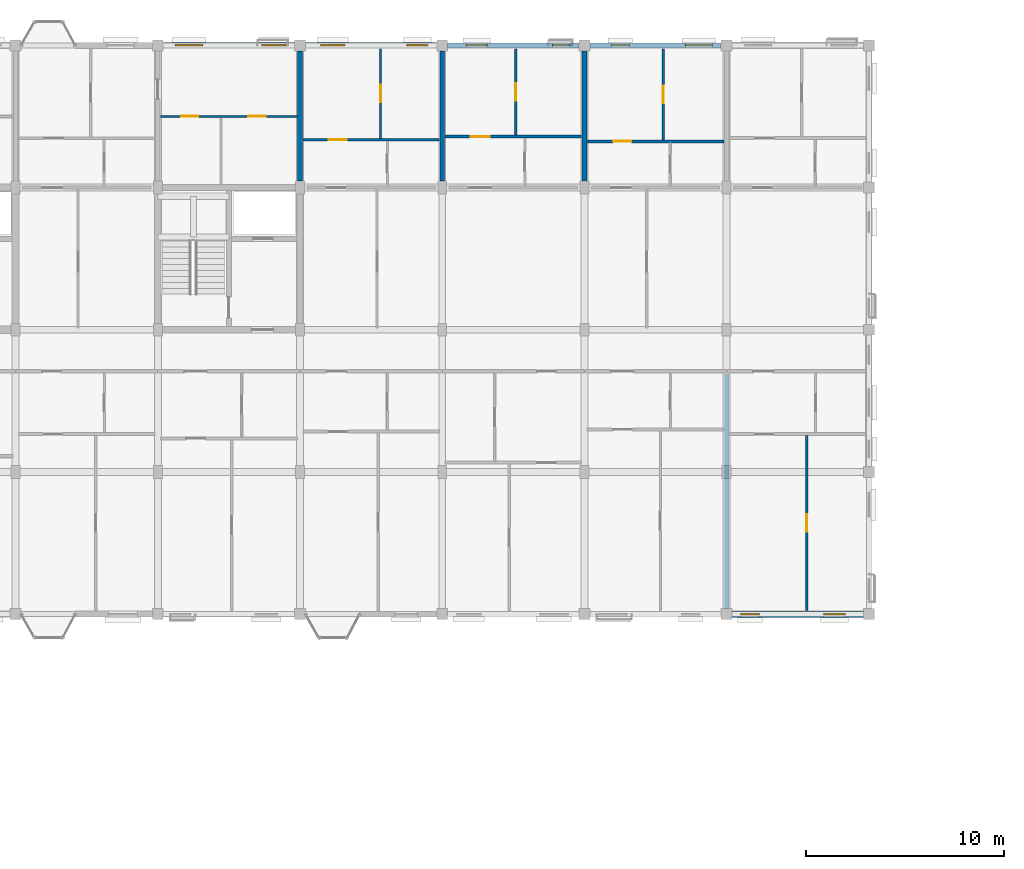
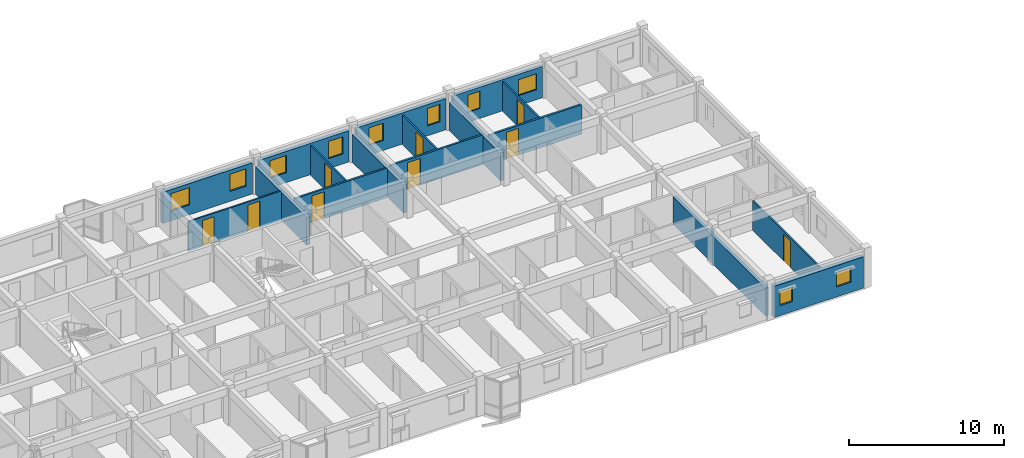
# One storey, part 65 of 75: 17 walls, 10 windows, 9 doors, 19 openings.
"""IFC4 building model written with IfcOpenShell, lengths in metres."""

from ifc_helpers import new_model, si_unit, direction, frame, frame_2d, origin, place, context, subcontext, project, spatial, rectangle, extrude, material, layer, layer_set, type_object, element, fill, save


model = new_model("IFC4")

# Units and contexts
model_context = context("Model", 3, precision=1e-05, world=origin(), true_north=direction((0.0, 1.0)))
body_context = subcontext(model_context, "Body", "Model", "MODEL_VIEW")
ifc_project = project(units=[si_unit("LENGTHUNIT", "METRE"), si_unit("AREAUNIT", "SQUARE_METRE"), si_unit("VOLUMEUNIT", "CUBIC_METRE"), si_unit("PLANEANGLEUNIT", "RADIAN"), si_unit("MASSUNIT", "GRAM", prefix="KILO"), si_unit("THERMODYNAMICTEMPERATUREUNIT", "KELVIN"), si_unit("POWERUNIT", "WATT")], contexts=[model_context])

# Site, building, storey
site_placement = place(None, origin())
site = spatial("IfcSite", under=ifc_project, at=site_placement, CompositionType="ELEMENT")
building_placement = place(site_placement, origin())
building = spatial("IfcBuilding", under=site, at=building_placement, Name="Tavuni Mirador Residences", CompositionType="ELEMENT")
storey_placement = place(building_placement, frame((0.0, 0.0, 20.25)))
storey = spatial("IfcBuildingStorey", under=building, at=storey_placement, Name="L06", CompositionType="ELEMENT", Elevation=20.25)

# Wall, openings, windows
ifc_material_1 = material(Name="Precast concrete C40/50", Category="concrete")
ifc_layer_1 = layer(ifc_material_1, 0.330078125, Name="Precast concrete C40/50", Category="concrete")
ifc_layer_set_1 = layer_set([ifc_layer_1], Name="Precast concrete C40/50")
wall_type_1 = type_object("IfcWallType", Name="WT-EXT-COR330", PredefinedType="SOLIDWALL", material=ifc_layer_set_1)
wall_1_placement = place(storey_placement, frame((68.675048828125, 144.0, 0.0), z_axis=(0.0, 0.0, 1.0), x_axis=(1.0, 0.0, 0.0)))
wall_1 = element("IfcWall", 1, at=wall_1_placement, inside=storey, type_object=wall_type_1, Name="EW-BLK-C-L06-S08", PredefinedType="SOLIDWALL", context=body_context, shape_type="SweptSolid", body=[
    extrude(rectangle(XDim=6.64990234375, YDim=0.330078125, at=frame_2d((3.324951171875, 0.0))), origin(), (0.0, 0.0, 1.0), 2.455078125),
])
opening_1_placement = place(wall_1_placement, frame((0.449951171875, 0.0, 0.780029296875)))
opening_1 = element("IfcOpeningElement", 2, at=opening_1_placement, cuts=wall_1, Name="Opening WN-02", PredefinedType="OPENING", context=body_context, shape_type="SweptSolid", body=[
    extrude(rectangle(XDim=0.919921875, YDim=1.14990234375, at=frame_2d((0.4599609375, 0.574951171875))), frame((0.0, 0.175048828125, 0.0), z_axis=(0.0, -1.0, 0.0), x_axis=(1.0, 0.0, 0.0)), (0.0, 0.0, 1.0), 0.35009765625),
])
opening_2_placement = place(wall_1_placement, frame((4.64990234375, 0.0, 0.780029296875)))
opening_2 = element("IfcOpeningElement", 3, at=opening_2_placement, cuts=wall_1, Name="Opening WN-04", PredefinedType="OPENING", context=body_context, shape_type="SweptSolid", body=[
    extrude(rectangle(XDim=1.080078125, YDim=1.14990234375, at=frame_2d((0.5400390625, 0.574951171875))), frame((0.0, 0.175048828125, 0.0), z_axis=(0.0, -1.0, 0.0), x_axis=(1.0, 0.0, 0.0)), (0.0, 0.0, 1.0), 0.35009765625),
])
ifc_material_2 = material(Name="Laminated solar-control glass", Category="glass")
window_type_1 = type_object("IfcWindowType", Name="WNT-02", PartitioningType="SINGLE_PANEL", PredefinedType="WINDOW", material=ifc_material_2)
window_1_placement = place(opening_1_placement, origin())
window_1 = element("IfcWindow", 4, at=window_1_placement, inside=storey, type_object=window_type_1, Name="WIN-1105", OverallHeight=1.14990234375, OverallWidth=0.919921875, PartitioningType="SINGLE_PANEL", PredefinedType="WINDOW", context=body_context, shape_type="SweptSolid", body=[
    extrude(rectangle(XDim=0.919921875, YDim=1.14990234375, at=frame_2d((0.4599609375, 0.574951171875))), frame((0.0, 0.030029296875, 0.0), z_axis=(0.0, -1.0, 0.0), x_axis=(1.0, 0.0, 0.0)), (0.0, 0.0, 1.0), 0.06005859375),
])
fill(opening_1, window_1)
window_type_2 = type_object("IfcWindowType", Name="WNT-04", PartitioningType="SINGLE_PANEL", PredefinedType="WINDOW", material=ifc_material_2)
window_2_placement = place(opening_2_placement, origin())
window_2 = element("IfcWindow", 5, at=window_2_placement, inside=storey, type_object=window_type_2, Name="WIN-1106", OverallHeight=1.14990234375, OverallWidth=1.080078125, PartitioningType="SINGLE_PANEL", PredefinedType="WINDOW", context=body_context, shape_type="SweptSolid", body=[
    extrude(rectangle(XDim=1.080078125, YDim=1.14990234375, at=frame_2d((0.5400390625, 0.574951171875))), frame((0.0, 0.030029296875, 0.0), z_axis=(0.0, -1.0, 0.0), x_axis=(1.0, 0.0, 0.0)), (0.0, 0.0, 1.0), 0.06005859375),
])
fill(opening_2, window_2)

ifc_material_3 = material(Name="Sgraffito lime-rendered precast concrete C40/50", Category="concrete")
ifc_layer_2 = layer(ifc_material_3, 0.2451171875, Name="Sgraffito lime-rendered precast concrete C40/50", Category="concrete")
ifc_layer_set_2 = layer_set([ifc_layer_2], Name="Sgraffito lime-rendered precast concrete C40/50")
wall_type_2 = type_object("IfcWallType", Name="WT-EXT-PC245", PredefinedType="SOLIDWALL", material=ifc_layer_set_2)
wall_2_placement = place(storey_placement, frame((68.125, 172.800048828125, 0.0), z_axis=(0.0, 0.0, 1.0), x_axis=(-1.0, 0.0, 0.0)))
wall_2 = element("IfcWall", 6, at=wall_2_placement, inside=storey, type_object=wall_type_2, Name="EW-BLK-C-L06-N07", PredefinedType="SOLIDWALL", context=body_context, shape_type="SweptSolid", body=[
    extrude(rectangle(XDim=6.64990234375, YDim=0.2451171875, at=frame_2d((3.324951171875, 0.0))), origin(), (0.0, 0.0, 1.0), 2.455078125),
])
opening_3_placement = place(wall_2_placement, frame((0.449951171875, 0.0, 0.780029296875)))
opening_3 = element("IfcOpeningElement", 7, at=opening_3_placement, cuts=wall_2, Name="Opening WN-15", PredefinedType="OPENING", context=body_context, shape_type="SweptSolid", body=[
    extrude(rectangle(XDim=1.360107421875, YDim=1.260009765625, at=frame_2d((0.68017578125, 0.6298828125))), frame((0.0, 0.132568359375, 0.0), z_axis=(0.0, -1.0, 0.0), x_axis=(1.0, 0.0, 0.0)), (0.0, 0.0, 1.0), 0.26513671875),
])
opening_4_placement = place(wall_2_placement, frame((4.64990234375, 0.0, 0.780029296875)))
opening_4 = element("IfcOpeningElement", 8, at=opening_4_placement, cuts=wall_2, Name="Opening WN-17", PredefinedType="OPENING", context=body_context, shape_type="SweptSolid", body=[
    extrude(rectangle(XDim=0.89990234375, YDim=1.360107421875, at=frame_2d((0.449951171875, 0.68017578125))), frame((0.0, 0.132568359375, 0.0), z_axis=(0.0, -1.0, 0.0), x_axis=(1.0, 0.0, 0.0)), (0.0, 0.0, 1.0), 0.26513671875),
])
window_type_3 = type_object("IfcWindowType", Name="WNT-15", PartitioningType="SINGLE_PANEL", PredefinedType="WINDOW", material=ifc_material_2)
window_3_placement = place(opening_3_placement, origin())
window_3 = element("IfcWindow", 9, at=window_3_placement, inside=storey, type_object=window_type_3, Name="WIN-1118", OverallHeight=1.260009765625, OverallWidth=1.360107421875, PartitioningType="SINGLE_PANEL", PredefinedType="WINDOW", context=body_context, shape_type="SweptSolid", body=[
    extrude(rectangle(XDim=1.360107421875, YDim=1.260009765625, at=frame_2d((0.68017578125, 0.6298828125))), frame((0.0, 0.030029296875, 0.0), z_axis=(0.0, -1.0, 0.0), x_axis=(1.0, 0.0, 0.0)), (0.0, 0.0, 1.0), 0.06005859375),
])
fill(opening_3, window_3)
window_type_4 = type_object("IfcWindowType", Name="WNT-17", PartitioningType="SINGLE_PANEL", PredefinedType="WINDOW", material=ifc_material_2)
window_4_placement = place(opening_4_placement, origin())
window_4 = element("IfcWindow", 10, at=window_4_placement, inside=storey, type_object=window_type_4, Name="WIN-1119", OverallHeight=1.360107421875, OverallWidth=0.89990234375, PartitioningType="SINGLE_PANEL", PredefinedType="WINDOW", context=body_context, shape_type="SweptSolid", body=[
    extrude(rectangle(XDim=0.89990234375, YDim=1.360107421875, at=frame_2d((0.449951171875, 0.68017578125))), frame((0.0, 0.030029296875, 0.0), z_axis=(0.0, -1.0, 0.0), x_axis=(1.0, 0.0, 0.0)), (0.0, 0.0, 1.0), 0.06005859375),
])
fill(opening_4, window_4)

ifc_layer_3 = layer(ifc_material_3, 0.2548828125, Name="Sgraffito lime-rendered precast concrete C40/50", Category="concrete")
ifc_layer_set_3 = layer_set([ifc_layer_3], Name="Sgraffito lime-rendered precast concrete C40/50")
wall_type_3 = type_object("IfcWallType", Name="WT-EXT-PC255", PredefinedType="SOLIDWALL", material=ifc_layer_set_3)
wall_3_placement = place(storey_placement, frame((60.925048828125, 172.800048828125, 0.0), z_axis=(0.0, 0.0, 1.0), x_axis=(-1.0, 0.0, 0.0)))
wall_3 = element("IfcWall", 11, at=wall_3_placement, inside=storey, type_object=wall_type_3, Name="EW-BLK-C-L06-N06", PredefinedType="SOLIDWALL", context=body_context, shape_type="SweptSolid", body=[
    extrude(rectangle(XDim=6.650146484375, YDim=0.2548828125, at=frame_2d((3.3251953125, 0.0))), origin(), (0.0, 0.0, 1.0), 2.455078125),
])
opening_5_placement = place(wall_3_placement, frame((0.449951171875, 0.0, 0.780029296875)))
opening_5 = element("IfcOpeningElement", 12, at=opening_5_placement, cuts=wall_3, Name="Opening WN-17", PredefinedType="OPENING", context=body_context, shape_type="SweptSolid", body=[
    extrude(rectangle(XDim=0.89990234375, YDim=1.360107421875, at=frame_2d((0.449951171875, 0.68017578125))), frame((0.0, 0.137451171875, 0.0), z_axis=(0.0, -1.0, 0.0), x_axis=(1.0, 0.0, 0.0)), (0.0, 0.0, 1.0), 0.27490234375),
])
opening_6_placement = place(wall_3_placement, frame((4.64990234375, 0.0, 0.780029296875)))
opening_6 = element("IfcOpeningElement", 13, at=opening_6_placement, cuts=wall_3, Name="Opening WN-19", PredefinedType="OPENING", context=body_context, shape_type="SweptSolid", body=[
    extrude(rectangle(XDim=1.06005859375, YDim=1.360107421875, at=frame_2d((0.530029296875, 0.68017578125))), frame((0.0, 0.137451171875, 0.0), z_axis=(0.0, -1.0, 0.0), x_axis=(1.0, 0.0, 0.0)), (0.0, 0.0, 1.0), 0.27490234375),
])
window_5_placement = place(opening_5_placement, origin())
window_5 = element("IfcWindow", 14, at=window_5_placement, inside=storey, type_object=window_type_4, Name="WIN-1120", OverallHeight=1.360107421875, OverallWidth=0.89990234375, PartitioningType="SINGLE_PANEL", PredefinedType="WINDOW", context=body_context, shape_type="SweptSolid", body=[
    extrude(rectangle(XDim=0.89990234375, YDim=1.360107421875, at=frame_2d((0.449951171875, 0.68017578125))), frame((0.0, 0.030029296875, 0.0), z_axis=(0.0, -1.0, 0.0), x_axis=(1.0, 0.0, 0.0)), (0.0, 0.0, 1.0), 0.06005859375),
])
fill(opening_5, window_5)
window_type_5 = type_object("IfcWindowType", Name="WNT-19", PartitioningType="SINGLE_PANEL", PredefinedType="WINDOW", material=ifc_material_2)
window_6_placement = place(opening_6_placement, origin())
window_6 = element("IfcWindow", 15, at=window_6_placement, inside=storey, type_object=window_type_5, Name="WIN-1121", OverallHeight=1.360107421875, OverallWidth=1.06005859375, PartitioningType="SINGLE_PANEL", PredefinedType="WINDOW", context=body_context, shape_type="SweptSolid", body=[
    extrude(rectangle(XDim=1.06005859375, YDim=1.360107421875, at=frame_2d((0.530029296875, 0.68017578125))), frame((0.0, 0.030029296875, 0.0), z_axis=(0.0, -1.0, 0.0), x_axis=(1.0, 0.0, 0.0)), (0.0, 0.0, 1.0), 0.06005859375),
])
fill(opening_6, window_6)

ifc_layer_4 = layer(ifc_material_3, 0.27490234375, Name="Sgraffito lime-rendered precast concrete C40/50", Category="concrete")
ifc_layer_set_4 = layer_set([ifc_layer_4], Name="Sgraffito lime-rendered precast concrete C40/50")
wall_type_4 = type_object("IfcWallType", Name="WT-EXT-PC275", PredefinedType="SOLIDWALL", material=ifc_layer_set_4)
wall_4_placement = place(storey_placement, frame((53.72509765625, 172.800048828125, 0.0), z_axis=(0.0, 0.0, 1.0), x_axis=(-1.0, 0.0, 0.0)))
wall_4 = element("IfcWall", 16, at=wall_4_placement, inside=storey, type_object=wall_type_4, Name="EW-BLK-C-L06-N05", PredefinedType="SOLIDWALL", context=body_context, shape_type="SweptSolid", body=[
    extrude(rectangle(XDim=6.650146484375, YDim=0.27490234375, at=frame_2d((3.3251953125, 0.0))), origin(), (0.0, 0.0, 1.0), 2.455078125),
])
opening_7_placement = place(wall_4_placement, frame((0.449951171875, 0.0, 0.780029296875)))
opening_7 = element("IfcOpeningElement", 17, at=opening_7_placement, cuts=wall_4, Name="Opening WN-19", PredefinedType="OPENING", context=body_context, shape_type="SweptSolid", body=[
    extrude(rectangle(XDim=1.06005859375, YDim=1.360107421875, at=frame_2d((0.530029296875, 0.68017578125))), frame((0.0, 0.1474609375, 0.0), z_axis=(0.0, -1.0, 0.0), x_axis=(1.0, 0.0, 0.0)), (0.0, 0.0, 1.0), 0.294921875),
])
opening_8_placement = place(wall_4_placement, frame((4.64990234375, 0.0, 0.780029296875)))
opening_8 = element("IfcOpeningElement", 18, at=opening_8_placement, cuts=wall_4, Name="Opening WN-21", PredefinedType="OPENING", context=body_context, shape_type="SweptSolid", body=[
    extrude(rectangle(XDim=1.219970703125, YDim=1.360107421875, at=frame_2d((0.60986328125, 0.68017578125))), frame((0.0, 0.1474609375, 0.0), z_axis=(0.0, -1.0, 0.0), x_axis=(1.0, 0.0, 0.0)), (0.0, 0.0, 1.0), 0.294921875),
])
window_7_placement = place(opening_7_placement, origin())
window_7 = element("IfcWindow", 19, at=window_7_placement, inside=storey, type_object=window_type_5, Name="WIN-1122", OverallHeight=1.360107421875, OverallWidth=1.06005859375, PartitioningType="SINGLE_PANEL", PredefinedType="WINDOW", context=body_context, shape_type="SweptSolid", body=[
    extrude(rectangle(XDim=1.06005859375, YDim=1.360107421875, at=frame_2d((0.530029296875, 0.68017578125))), frame((0.0, 0.030029296875, 0.0), z_axis=(0.0, -1.0, 0.0), x_axis=(1.0, 0.0, 0.0)), (0.0, 0.0, 1.0), 0.06005859375),
])
fill(opening_7, window_7)
window_type_6 = type_object("IfcWindowType", Name="WNT-21", PartitioningType="SINGLE_PANEL", PredefinedType="WINDOW", material=ifc_material_2)
window_8_placement = place(opening_8_placement, origin())
window_8 = element("IfcWindow", 20, at=window_8_placement, inside=storey, type_object=window_type_6, Name="WIN-1123", OverallHeight=1.360107421875, OverallWidth=1.219970703125, PartitioningType="SINGLE_PANEL", PredefinedType="WINDOW", context=body_context, shape_type="SweptSolid", body=[
    extrude(rectangle(XDim=1.219970703125, YDim=1.360107421875, at=frame_2d((0.60986328125, 0.68017578125))), frame((0.0, 0.030029296875, 0.0), z_axis=(0.0, -1.0, 0.0), x_axis=(1.0, 0.0, 0.0)), (0.0, 0.0, 1.0), 0.06005859375),
])
fill(opening_8, window_8)

ifc_layer_5 = layer(ifc_material_3, 0.2900390625, Name="Sgraffito lime-rendered precast concrete C40/50", Category="concrete")
ifc_layer_set_5 = layer_set([ifc_layer_5], Name="Sgraffito lime-rendered precast concrete C40/50")
wall_type_5 = type_object("IfcWallType", Name="WT-EXT-PC290", PredefinedType="SOLIDWALL", material=ifc_layer_set_5)
wall_5_placement = place(storey_placement, frame((46.52490234375, 172.800048828125, 0.0), z_axis=(0.0, 0.0, 1.0), x_axis=(-1.0, 0.0, 0.0)))
wall_5 = element("IfcWall", 21, at=wall_5_placement, inside=storey, type_object=wall_type_5, Name="EW-BLK-C-L06-N04", PredefinedType="SOLIDWALL", context=body_context, shape_type="SweptSolid", body=[
    extrude(rectangle(XDim=6.64990234375, YDim=0.2900390625, at=frame_2d((3.324951171875, 0.0))), origin(), (0.0, 0.0, 1.0), 2.455078125),
])
opening_9_placement = place(wall_5_placement, frame((0.449951171875, 0.0, 0.780029296875)))
opening_9 = element("IfcOpeningElement", 22, at=opening_9_placement, cuts=wall_5, Name="Opening WN-21", PredefinedType="OPENING", context=body_context, shape_type="SweptSolid", body=[
    extrude(rectangle(XDim=1.219970703125, YDim=1.360107421875, at=frame_2d((0.60986328125, 0.68017578125))), frame((0.0, 0.155029296875, 0.0), z_axis=(0.0, -1.0, 0.0), x_axis=(1.0, 0.0, 0.0)), (0.0, 0.0, 1.0), 0.31005859375),
])
opening_10_placement = place(wall_5_placement, frame((4.64990234375, 0.0, 0.780029296875)))
opening_10 = element("IfcOpeningElement", 23, at=opening_10_placement, cuts=wall_5, Name="Opening WN-23", PredefinedType="OPENING", context=body_context, shape_type="SweptSolid", body=[
    extrude(rectangle(XDim=1.3798828125, YDim=1.360107421875, at=frame_2d((0.68994140625, 0.68017578125))), frame((0.0, 0.155029296875, 0.0), z_axis=(0.0, -1.0, 0.0), x_axis=(1.0, 0.0, 0.0)), (0.0, 0.0, 1.0), 0.31005859375),
])
window_9_placement = place(opening_9_placement, origin())
window_9 = element("IfcWindow", 24, at=window_9_placement, inside=storey, type_object=window_type_6, Name="WIN-1124", OverallHeight=1.360107421875, OverallWidth=1.219970703125, PartitioningType="SINGLE_PANEL", PredefinedType="WINDOW", context=body_context, shape_type="SweptSolid", body=[
    extrude(rectangle(XDim=1.219970703125, YDim=1.360107421875, at=frame_2d((0.60986328125, 0.68017578125))), frame((0.0, 0.030029296875, 0.0), z_axis=(0.0, -1.0, 0.0), x_axis=(1.0, 0.0, 0.0)), (0.0, 0.0, 1.0), 0.06005859375),
])
fill(opening_9, window_9)
window_type_7 = type_object("IfcWindowType", Name="WNT-23", PartitioningType="SINGLE_PANEL", PredefinedType="WINDOW", material=ifc_material_2)
window_10_placement = place(opening_10_placement, origin())
window_10 = element("IfcWindow", 25, at=window_10_placement, inside=storey, type_object=window_type_7, Name="WIN-1125", OverallHeight=1.360107421875, OverallWidth=1.3798828125, PartitioningType="SINGLE_PANEL", PredefinedType="WINDOW", context=body_context, shape_type="SweptSolid", body=[
    extrude(rectangle(XDim=1.3798828125, YDim=1.360107421875, at=frame_2d((0.68994140625, 0.68017578125))), frame((0.0, 0.030029296875, 0.0), z_axis=(0.0, -1.0, 0.0), x_axis=(1.0, 0.0, 0.0)), (0.0, 0.0, 1.0), 0.06005859375),
])
fill(opening_10, window_10)

# Wall, openings, doors
ifc_material_4 = material(Name="Acoustic gypsum and concrete block partition", Category="concrete")
ifc_layer_6 = layer(ifc_material_4, 0.114990234375, Name="Acoustic gypsum and concrete block partition", Category="concrete")
ifc_layer_set_6 = layer_set([ifc_layer_6], Name="Acoustic gypsum and concrete block partition")
wall_type_6 = type_object("IfcWallType", Name="WT-PART115", PredefinedType="PARTITIONING", material=ifc_layer_set_6)
wall_6_placement = place(storey_placement, frame((39.739990234375, 169.199951171875, 0.0), z_axis=(0.0, 0.0, 1.0), x_axis=(1.0, 0.0, 0.0)))
wall_6 = element("IfcWall", 26, at=wall_6_placement, inside=storey, type_object=wall_type_6, Name="PW-BLK-C-L06-NC04-M", PredefinedType="PARTITIONING", context=body_context, shape_type="SweptSolid", body=[
    extrude(rectangle(XDim=6.919921875, YDim=0.114990234375, at=frame_2d((3.4599609375, 0.0))), origin(), (0.0, 0.0, 1.0), 2.320068359375),
])
opening_11_placement = place(wall_6_placement, frame((1.050048828125, 0.0, 0.0)))
opening_11 = element("IfcOpeningElement", 27, at=opening_11_placement, cuts=wall_6, Name="Opening D-10", PredefinedType="OPENING", context=body_context, shape_type="SweptSolid", body=[
    extrude(rectangle(XDim=0.8701171875, YDim=2.050048828125, at=frame_2d((0.43505859375, 1.02490234375))), frame((0.0, 0.0673828125, 0.0), z_axis=(0.0, -1.0, 0.0), x_axis=(1.0, 0.0, 0.0)), (0.0, 0.0, 1.0), 0.135009765625),
])
opening_12_placement = place(wall_6_placement, frame((4.449951171875, 0.0, 0.0)))
opening_12 = element("IfcOpeningElement", 28, at=opening_12_placement, cuts=wall_6, Name="Opening D-08", PredefinedType="OPENING", context=body_context, shape_type="SweptSolid", body=[
    extrude(rectangle(XDim=0.8798828125, YDim=2.080078125, at=frame_2d((0.43994140625, 1.0400390625))), frame((0.0, 0.0673828125, 0.0), z_axis=(0.0, -1.0, 0.0), x_axis=(1.0, 0.0, 0.0)), (0.0, 0.0, 1.0), 0.135009765625),
])
ifc_material_5 = material(Name="Solid core iroko timber", Category="wood")
door_type_1 = type_object("IfcDoorType", Name="DT-BED880", OperationType="NOTDEFINED", PredefinedType="DOOR", material=ifc_material_5)
door_1_placement = place(opening_12_placement, origin())
door_1 = element("IfcDoor", 29, at=door_1_placement, inside=storey, type_object=door_type_1, Name="DR-3990", OperationType="SINGLE_SWING_RIGHT", OverallHeight=2.080078125, OverallWidth=0.8798828125, PredefinedType="DOOR", context=body_context, shape_type="SweptSolid", body=[
    extrude(rectangle(XDim=0.8798828125, YDim=2.080078125, at=frame_2d((0.43994140625, 1.0400390625))), frame((0.0, 0.02490234375, 0.0), z_axis=(0.0, -1.0, 0.0), x_axis=(1.0, 0.0, 0.0)), (0.0, 0.0, 1.0), 0.050048828125),
])
fill(opening_12, door_1)
door_type_2 = type_object("IfcDoorType", Name="DT-WC870", OperationType="NOTDEFINED", PredefinedType="DOOR", material=ifc_material_5)
door_2_placement = place(opening_11_placement, origin())
door_2 = element("IfcDoor", 30, at=door_2_placement, inside=storey, type_object=door_type_2, Name="DR-3989", OperationType="SINGLE_SWING_LEFT", OverallHeight=2.050048828125, OverallWidth=0.8701171875, PredefinedType="DOOR", context=body_context, shape_type="SweptSolid", body=[
    extrude(rectangle(XDim=0.8701171875, YDim=2.050048828125, at=frame_2d((0.43505859375, 1.02490234375))), frame((0.0, 0.02490234375, 0.0), z_axis=(0.0, -1.0, 0.0), x_axis=(1.0, 0.0, 0.0)), (0.0, 0.0, 1.0), 0.050048828125),
])
fill(opening_11, door_2)

# Wall, opening, door
wall_7_placement = place(storey_placement, frame((50.8798828125, 168.090087890625, 0.0), z_axis=(0.0, 0.0, 1.0), x_axis=(0.0, 1.0, 0.0)))
wall_7 = element("IfcWall", 31, at=wall_7_placement, inside=storey, type_object=wall_type_6, Name="PW-BLK-C-L06-N05-OUT", PredefinedType="PARTITIONING", context=body_context, shape_type="SweptSolid", body=[
    extrude(rectangle(XDim=4.534912109375, YDim=0.114990234375, at=frame_2d((2.267578125, 0.0))), origin(), (0.0, 0.0, 1.0), 2.320068359375),
])
opening_13_placement = place(wall_7_placement, frame((1.827392578125, 0.0, 0.0)))
opening_13 = element("IfcOpeningElement", 32, at=opening_13_placement, cuts=wall_7, Name="Opening D-08", PredefinedType="OPENING", context=body_context, shape_type="SweptSolid", body=[
    extrude(rectangle(XDim=0.8798828125, YDim=2.080078125, at=frame_2d((0.43994140625, 1.0400390625))), frame((0.0, 0.0673828125, 0.0), z_axis=(0.0, -1.0, 0.0), x_axis=(1.0, 0.0, 0.0)), (0.0, 0.0, 1.0), 0.135009765625),
])
door_3_placement = place(opening_13_placement, origin())
door_3 = element("IfcDoor", 33, at=door_3_placement, inside=storey, type_object=door_type_1, Name="DR-3995", OperationType="SINGLE_SWING_LEFT", OverallHeight=2.080078125, OverallWidth=0.8798828125, PredefinedType="DOOR", context=body_context, shape_type="SweptSolid", body=[
    extrude(rectangle(XDim=0.8798828125, YDim=2.080078125, at=frame_2d((0.43994140625, 1.0400390625))), frame((0.0, 0.02490234375, 0.0), z_axis=(0.0, -1.0, 0.0), x_axis=(1.0, 0.0, 0.0)), (0.0, 0.0, 1.0), 0.050048828125),
])
fill(opening_13, door_3)

wall_8_placement = place(storey_placement, frame((57.719970703125, 168.25, 0.0), z_axis=(0.0, 0.0, 1.0), x_axis=(0.0, 1.0, 0.0)))
wall_8 = element("IfcWall", 34, at=wall_8_placement, inside=storey, type_object=wall_type_6, Name="PW-BLK-C-L06-N06-OUT", PredefinedType="PARTITIONING", context=body_context, shape_type="SweptSolid", body=[
    extrude(rectangle(XDim=4.375, YDim=0.114990234375, at=frame_2d((2.1875, 0.0))), origin(), (0.0, 0.0, 1.0), 2.320068359375),
])
opening_14_placement = place(wall_8_placement, frame((1.737548828125, 0.0, 0.0)))
opening_14 = element("IfcOpeningElement", 35, at=opening_14_placement, cuts=wall_8, Name="Opening D-07", PredefinedType="OPENING", context=body_context, shape_type="SweptSolid", body=[
    extrude(rectangle(XDim=0.89990234375, YDim=2.10009765625, at=frame_2d((0.449951171875, 1.050048828125))), frame((0.0, 0.0673828125, 0.0), z_axis=(0.0, -1.0, 0.0), x_axis=(1.0, 0.0, 0.0)), (0.0, 0.0, 1.0), 0.135009765625),
])
door_type_3 = type_object("IfcDoorType", Name="DT-BED900", OperationType="NOTDEFINED", PredefinedType="DOOR", material=ifc_material_5)
door_4_placement = place(opening_14_placement, origin())
door_4 = element("IfcDoor", 36, at=door_4_placement, inside=storey, type_object=door_type_3, Name="DR-4001", OperationType="SINGLE_SWING_RIGHT", OverallHeight=2.10009765625, OverallWidth=0.89990234375, PredefinedType="DOOR", context=body_context, shape_type="SweptSolid", body=[
    extrude(rectangle(XDim=0.89990234375, YDim=2.10009765625, at=frame_2d((0.449951171875, 1.050048828125))), frame((0.0, 0.02490234375, 0.0), z_axis=(0.0, -1.0, 0.0), x_axis=(1.0, 0.0, 0.0)), (0.0, 0.0, 1.0), 0.050048828125),
])
fill(opening_14, door_4)

wall_9_placement = place(storey_placement, frame((72.449951171875, 144.175048828125, 0.0), z_axis=(0.0, 0.0, 1.0), x_axis=(0.0, 1.0, 0.0)))
wall_9 = element("IfcWall", 37, at=wall_9_placement, inside=storey, type_object=wall_type_6, Name="PW-BLK-C-L06-S08-OUT", PredefinedType="PARTITIONING", context=body_context, shape_type="SweptSolid", body=[
    extrude(rectangle(XDim=8.875, YDim=0.114990234375, at=frame_2d((4.4375, 0.0))), origin(), (0.0, 0.0, 1.0), 2.320068359375),
])
opening_15_placement = place(wall_9_placement, frame((3.99755859375, 0.0, 0.0)))
opening_15 = element("IfcOpeningElement", 38, at=opening_15_placement, cuts=wall_9, Name="Opening D-08", PredefinedType="OPENING", context=body_context, shape_type="SweptSolid", body=[
    extrude(rectangle(XDim=0.8798828125, YDim=2.080078125, at=frame_2d((0.43994140625, 1.0400390625))), frame((0.0, 0.0673828125, 0.0), z_axis=(0.0, -1.0, 0.0), x_axis=(1.0, 0.0, 0.0)), (0.0, 0.0, 1.0), 0.135009765625),
])
door_5_placement = place(opening_15_placement, origin())
door_5 = element("IfcDoor", 39, at=door_5_placement, inside=storey, type_object=door_type_1, Name="DR-4011", OperationType="SINGLE_SWING_LEFT", OverallHeight=2.080078125, OverallWidth=0.8798828125, PredefinedType="DOOR", context=body_context, shape_type="SweptSolid", body=[
    extrude(rectangle(XDim=0.8798828125, YDim=2.080078125, at=frame_2d((0.43994140625, 1.0400390625))), frame((0.0, 0.02490234375, 0.0), z_axis=(0.0, -1.0, 0.0), x_axis=(1.0, 0.0, 0.0)), (0.0, 0.0, 1.0), 0.050048828125),
])
fill(opening_15, door_5)

ifc_layer_7 = layer(ifc_material_4, 0.125, Name="Acoustic gypsum and concrete block partition", Category="concrete")
ifc_layer_set_7 = layer_set([ifc_layer_7], Name="Acoustic gypsum and concrete block partition")
wall_type_7 = type_object("IfcWallType", Name="WT-PART125", PredefinedType="PARTITIONING", material=ifc_layer_set_7)
wall_10_placement = place(storey_placement, frame((65.179931640625, 168.010009765625, 0.0), z_axis=(0.0, 0.0, 1.0), x_axis=(0.0, 1.0, 0.0)))
wall_10 = element("IfcWall", 40, at=wall_10_placement, inside=storey, type_object=wall_type_7, Name="PW-BLK-C-L06-N07-OUT", PredefinedType="PARTITIONING", context=body_context, shape_type="SweptSolid", body=[
    extrude(rectangle(XDim=4.614990234375, YDim=0.125, at=frame_2d((2.3076171875, 0.0))), origin(), (0.0, 0.0, 1.0), 2.320068359375),
])
opening_16_placement = place(wall_10_placement, frame((1.867431640625, 0.0, 0.0)))
opening_16 = element("IfcOpeningElement", 41, at=opening_16_placement, cuts=wall_10, Name="Opening D-08", PredefinedType="OPENING", context=body_context, shape_type="SweptSolid", body=[
    extrude(rectangle(XDim=0.8798828125, YDim=2.080078125, at=frame_2d((0.43994140625, 1.0400390625))), frame((0.0, 0.072509765625, 0.0), z_axis=(0.0, -1.0, 0.0), x_axis=(1.0, 0.0, 0.0)), (0.0, 0.0, 1.0), 0.14501953125),
])
door_6_placement = place(opening_16_placement, origin())
door_6 = element("IfcDoor", 42, at=door_6_placement, inside=storey, type_object=door_type_1, Name="DR-4008", OperationType="SINGLE_SWING_LEFT", OverallHeight=2.080078125, OverallWidth=0.8798828125, PredefinedType="DOOR", context=body_context, shape_type="SweptSolid", body=[
    extrude(rectangle(XDim=0.8798828125, YDim=2.080078125, at=frame_2d((0.43994140625, 1.0400390625))), frame((0.0, 0.02490234375, 0.0), z_axis=(0.0, -1.0, 0.0), x_axis=(1.0, 0.0, 0.0)), (0.0, 0.0, 1.0), 0.050048828125),
])
fill(opening_16, door_6)

ifc_layer_8 = layer(ifc_material_4, 0.139892578125, Name="Acoustic gypsum and concrete block partition", Category="concrete")
ifc_layer_set_8 = layer_set([ifc_layer_8], Name="Acoustic gypsum and concrete block partition")
wall_type_8 = type_object("IfcWallType", Name="WT-PART140", PredefinedType="PARTITIONING", material=ifc_layer_set_8)
wall_11_placement = place(storey_placement, frame((46.93994140625, 168.02001953125, 0.0), z_axis=(0.0, 0.0, 1.0), x_axis=(1.0, 0.0, 0.0)))
wall_11 = element("IfcWall", 43, at=wall_11_placement, inside=storey, type_object=wall_type_8, Name="PW-BLK-C-L06-N05-MID", PredefinedType="PARTITIONING", context=body_context, shape_type="SweptSolid", body=[
    extrude(rectangle(XDim=6.920166015625, YDim=0.139892578125, at=frame_2d((3.4599609375, 0.0))), origin(), (0.0, 0.0, 1.0), 2.320068359375),
])
opening_17_placement = place(wall_11_placement, frame((1.31005859375, 0.0, 0.0)))
opening_17 = element("IfcOpeningElement", 44, at=opening_17_placement, cuts=wall_11, Name="Opening D-06", PredefinedType="OPENING", context=body_context, shape_type="SweptSolid", body=[
    extrude(rectangle(XDim=0.919921875, YDim=2.10009765625, at=frame_2d((0.4599609375, 1.050048828125))), frame((0.0, 0.080078125, 0.0), z_axis=(0.0, -1.0, 0.0), x_axis=(1.0, 0.0, 0.0)), (0.0, 0.0, 1.0), 0.159912109375),
])
door_type_4 = type_object("IfcDoorType", Name="DT-INT920", OperationType="NOTDEFINED", PredefinedType="DOOR", material=ifc_material_5)
door_7_placement = place(opening_17_placement, origin())
door_7 = element("IfcDoor", 45, at=door_7_placement, inside=storey, type_object=door_type_4, Name="DR-3997", OperationType="SINGLE_SWING_RIGHT", OverallHeight=2.10009765625, OverallWidth=0.919921875, PredefinedType="DOOR", context=body_context, shape_type="SweptSolid", body=[
    extrude(rectangle(XDim=0.919921875, YDim=2.10009765625, at=frame_2d((0.4599609375, 1.050048828125))), frame((0.0, 0.02490234375, 0.0), z_axis=(0.0, -1.0, 0.0), x_axis=(1.0, 0.0, 0.0)), (0.0, 0.0, 1.0), 0.050048828125),
])
fill(opening_17, door_7)

wall_12_placement = place(storey_placement, frame((54.139892578125, 168.179931640625, 0.0), z_axis=(0.0, 0.0, 1.0), x_axis=(1.0, 0.0, 0.0)))
wall_12 = element("IfcWall", 46, at=wall_12_placement, inside=storey, type_object=wall_type_8, Name="PW-BLK-C-L06-N06-MID", PredefinedType="PARTITIONING", context=body_context, shape_type="SweptSolid", body=[
    extrude(rectangle(XDim=6.920166015625, YDim=0.139892578125, at=frame_2d((3.4599609375, 0.0))), origin(), (0.0, 0.0, 1.0), 2.320068359375),
])
opening_18_placement = place(wall_12_placement, frame((1.31005859375, 0.0, 0.0)))
opening_18 = element("IfcOpeningElement", 47, at=opening_18_placement, cuts=wall_12, Name="Opening D-05", PredefinedType="OPENING", context=body_context, shape_type="SweptSolid", body=[
    extrude(rectangle(XDim=0.949951171875, YDim=2.10009765625, at=frame_2d((0.47509765625, 1.050048828125))), frame((0.0, 0.080078125, 0.0), z_axis=(0.0, -1.0, 0.0), x_axis=(1.0, 0.0, 0.0)), (0.0, 0.0, 1.0), 0.159912109375),
])
door_type_5 = type_object("IfcDoorType", Name="DT-INT950", OperationType="NOTDEFINED", PredefinedType="DOOR", material=ifc_material_5)
door_8_placement = place(opening_18_placement, origin())
door_8 = element("IfcDoor", 48, at=door_8_placement, inside=storey, type_object=door_type_5, Name="DR-4003", OperationType="SINGLE_SWING_LEFT", OverallHeight=2.10009765625, OverallWidth=0.949951171875, PredefinedType="DOOR", context=body_context, shape_type="SweptSolid", body=[
    extrude(rectangle(XDim=0.949951171875, YDim=2.10009765625, at=frame_2d((0.47509765625, 1.050048828125))), frame((0.0, 0.02490234375, 0.0), z_axis=(0.0, -1.0, 0.0), x_axis=(1.0, 0.0, 0.0)), (0.0, 0.0, 1.0), 0.050048828125),
])
fill(opening_18, door_8)

ifc_layer_9 = layer(ifc_material_4, 0.14990234375, Name="Acoustic gypsum and concrete block partition", Category="concrete")
ifc_layer_set_9 = layer_set([ifc_layer_9], Name="Acoustic gypsum and concrete block partition")
wall_type_9 = type_object("IfcWallType", Name="WT-PART150", PredefinedType="PARTITIONING", material=ifc_layer_set_9)
wall_13_placement = place(storey_placement, frame((61.340087890625, 167.93994140625, 0.0), z_axis=(0.0, 0.0, 1.0), x_axis=(1.0, 0.0, 0.0)))
wall_13 = element("IfcWall", 49, at=wall_13_placement, inside=storey, type_object=wall_type_9, Name="PW-BLK-C-L06-N07-MID", PredefinedType="PARTITIONING", context=body_context, shape_type="SweptSolid", body=[
    extrude(rectangle(XDim=6.919921875, YDim=0.14990234375, at=frame_2d((3.4599609375, 0.0))), origin(), (0.0, 0.0, 1.0), 2.320068359375),
])
opening_19_placement = place(wall_13_placement, frame((1.31005859375, 0.0, 0.0)))
opening_19 = element("IfcOpeningElement", 50, at=opening_19_placement, cuts=wall_13, Name="Opening D-06", PredefinedType="OPENING", context=body_context, shape_type="SweptSolid", body=[
    extrude(rectangle(XDim=0.919921875, YDim=2.10009765625, at=frame_2d((0.4599609375, 1.050048828125))), frame((0.0, 0.0849609375, 0.0), z_axis=(0.0, -1.0, 0.0), x_axis=(1.0, 0.0, 0.0)), (0.0, 0.0, 1.0), 0.169921875),
])
door_9_placement = place(opening_19_placement, origin())
door_9 = element("IfcDoor", 51, at=door_9_placement, inside=storey, type_object=door_type_4, Name="DR-4010", OperationType="SINGLE_SWING_RIGHT", OverallHeight=2.10009765625, OverallWidth=0.919921875, PredefinedType="DOOR", context=body_context, shape_type="SweptSolid", body=[
    extrude(rectangle(XDim=0.919921875, YDim=2.10009765625, at=frame_2d((0.4599609375, 1.050048828125))), frame((0.0, 0.02490234375, 0.0), z_axis=(0.0, -1.0, 0.0), x_axis=(1.0, 0.0, 0.0)), (0.0, 0.0, 1.0), 0.050048828125),
])
fill(opening_19, door_9)

# Walls
ifc_layer_10 = layer(ifc_material_1, 0.235107421875, Name="Precast concrete C40/50", Category="concrete")
ifc_layer_set_10 = layer_set([ifc_layer_10], Name="Precast concrete C40/50")
wall_type_10 = type_object("IfcWallType", Name="WT-XW235", PredefinedType="SOLIDWALL", material=ifc_layer_set_10)
for number, where, z_axis, x_axis, name in (
    (52, (46.800048828125, 165.925048828125, 0.0), (0.0, 0.0, 1.0), (0.0, 1.0, 0.0), "XW-BLK-C-L06-N-05"),
    (53, (54.0, 165.925048828125, 0.0), (0.0, 0.0, 1.0), (0.0, 1.0, 0.0), "XW-BLK-C-L06-N-06"),
    (54, (61.199951171875, 165.925048828125, 0.0), (0.0, 0.0, 1.0), (0.0, 1.0, 0.0), "XW-BLK-C-L06-N-07"),
):
    element("IfcWall", number, at=place(storey_placement, frame(where, z_axis=z_axis, x_axis=x_axis)), inside=storey, type_object=wall_type_10, Name=name, PredefinedType="SOLIDWALL", context=body_context, shape_type="SweptSolid", body=[
        extrude(rectangle(XDim=6.599853515625, YDim=0.235107421875, at=frame_2d((3.2998046875, 0.0))), origin(), (0.0, 0.0, 1.0), 2.18505859375),
    ])
wall_14_placement = place(storey_placement, frame((68.39990234375, 144.27490234375, 0.0), z_axis=(0.0, 0.0, 1.0), x_axis=(0.0, 1.0, 0.0)))
element("IfcWall", 55, at=wall_14_placement, inside=storey, type_object=wall_type_10, Name="XW-BLK-C-L06-S-08", PredefinedType="SOLIDWALL", context=body_context, shape_type="SweptSolid", body=[
    extrude(rectangle(XDim=11.875, YDim=0.235107421875, at=frame_2d((5.9375, 0.0))), origin(), (0.0, 0.0, 1.0), 2.18505859375),
])

save(model, "model.ifc")
